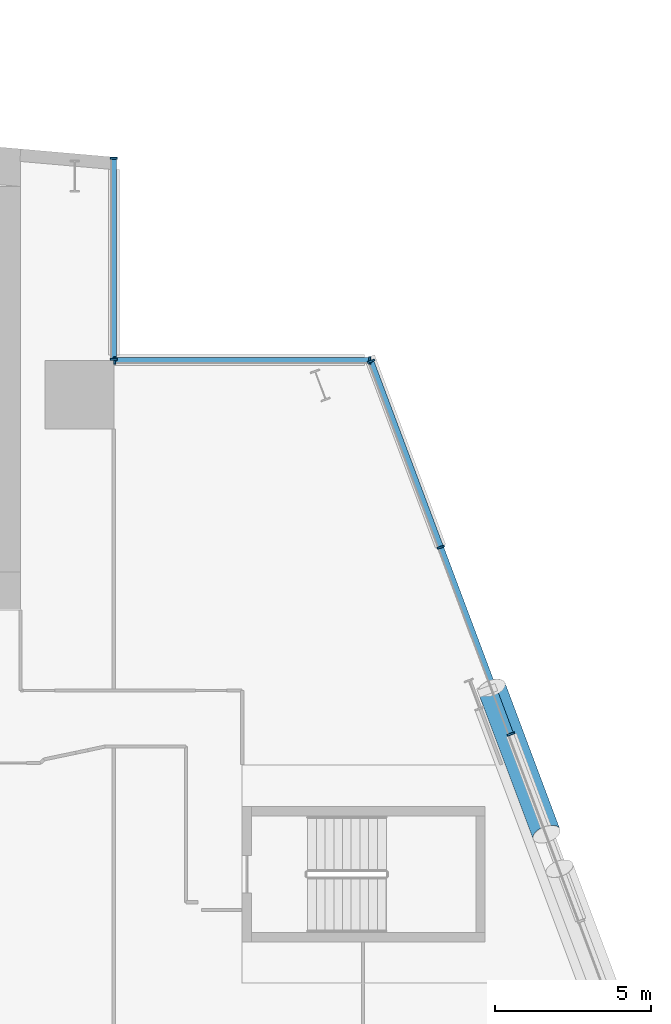
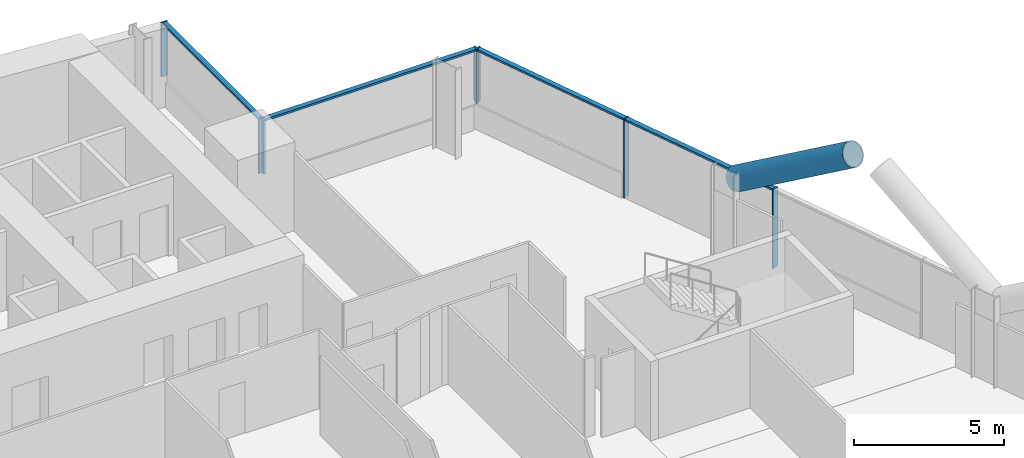
# One storey, part 10 of 27: 12 members, 3 elements without a shape of their own.
"""IFC4 building model written with IfcOpenShell, lengths in metres."""

from ifc_helpers import new_model, si_unit, direction, frame, origin, origin_2d, place, context, subcontext, project, spatial, rectangle, hollow_circle, extrude, material, material_profile, profile_set, type_object, element, aggregate, save


model = new_model("IFC4")

# Units and contexts
model_context = context("Model", 3, precision=1e-05, world=origin(), true_north=direction((0.0, 1.0)))
body_context = subcontext(model_context, "Body", "Model", "MODEL_VIEW")
ifc_project = project(units=[si_unit("LENGTHUNIT", "METRE"), si_unit("AREAUNIT", "SQUARE_METRE"), si_unit("VOLUMEUNIT", "CUBIC_METRE"), si_unit("PLANEANGLEUNIT", "RADIAN"), si_unit("MASSUNIT", "GRAM", prefix="KILO")], contexts=[model_context])

# Site, building, storey
site_placement = place(None, origin())
site = spatial("IfcSite", under=ifc_project, at=site_placement, CompositionType="ELEMENT")
building_placement = place(site_placement, origin())
building = spatial("IfcBuilding", under=site, at=building_placement, Name="Wharfspan Tower", CompositionType="ELEMENT")
storey_placement = place(building_placement, frame((0.0, 0.0, 45.100098)))
storey = spatial("IfcBuildingStorey", under=building, at=storey_placement, Name="L07", CompositionType="ELEMENT", Elevation=45.100098)

# Curtain wall, members
ifc_material_1 = material(Name="Aluminium 6063-T6", Category="aluminium")
curtain_wall_type = type_object("IfcCurtainWallType", Name="CURTAIN WALL PROW AND END", PredefinedType="NOTDEFINED", material=ifc_material_1)
curtain_wall_1_placement = place(storey_placement, origin())
curtain_wall_1 = element("IfcCurtainWall", 1, at=curtain_wall_1_placement, inside=storey, type_object=curtain_wall_type, Name="Curtain wall E", PredefinedType="NOTDEFINED")
ifc_material_profile_1 = material_profile(ifc_material_1, rectangle(XDim=0.23999, YDim=0.060059, at=origin_2d()))
ifc_profile_set_1 = profile_set([ifc_material_profile_1], Name="Aluminium 6063-T6")
member_type_1 = type_object("IfcMemberType", Name="MULLION PROW AND END 60x240", PredefinedType="MULLION", material=ifc_profile_set_1)
member_1_placement = place(storey_placement, frame((80.75, 30.0, 0.0), z_axis=(0.0, 0.0, 1.0), x_axis=(-0.936328, -0.351123, 0.0)))
member_1 = element("IfcMember", 2, at=member_1_placement, type_object=member_type_1, Name="Curtain wall E mullion 6", PredefinedType="MULLION", context=body_context, shape_type="SweptSolid", body=[
    extrude(rectangle(XDim=0.23999, YDim=0.060059, at=origin_2d()), origin(), (0.0, 0.0, 1.0), 3.199951),
])
member_2_placement = place(storey_placement, frame((78.5, 36.0, 0.0), z_axis=(0.0, 0.0, 1.0), x_axis=(-0.936328, -0.351123, 0.0)))
member_2 = element("IfcMember", 3, at=member_2_placement, type_object=member_type_1, Name="Curtain wall E mullion 7", PredefinedType="MULLION", context=body_context, shape_type="SweptSolid", body=[
    extrude(rectangle(XDim=0.23999, YDim=0.060059, at=origin_2d()), origin(), (0.0, 0.0, 1.0), 3.199951),
])
member_3_placement = place(storey_placement, frame((76.260498, 41.971924, 1.0), z_axis=(0.0, 0.0, 1.0), x_axis=(-0.936328, -0.351123, 0.0)))
member_3 = element("IfcMember", 4, at=member_3_placement, type_object=member_type_1, Name="Curtain wall E mullion 8", PredefinedType="MULLION", context=body_context, shape_type="SweptSolid", body=[
    extrude(rectangle(XDim=0.23999, YDim=0.060059, at=origin_2d()), origin(), (0.0, 0.0, 1.0), 2.199951),
])

curtain_wall_2_placement = place(storey_placement, origin())
curtain_wall_2 = element("IfcCurtainWall", 5, at=curtain_wall_2_placement, inside=storey, type_object=curtain_wall_type, Name="Curtain wall NRE-H", PredefinedType="NOTDEFINED")
member_4_placement = place(storey_placement, frame((76.219971, 42.0, 1.0), z_axis=(0.0, 0.0, 1.0), x_axis=(0.0, -1.0, 0.0)))
member_4 = element("IfcMember", 6, at=member_4_placement, type_object=member_type_1, Name="Curtain wall NRE-H mullion 1", PredefinedType="MULLION", context=body_context, shape_type="SweptSolid", body=[
    extrude(rectangle(XDim=0.23999, YDim=0.060059, at=origin_2d()), origin(), (0.0, 0.0, 1.0), 2.199951),
])
member_5_placement = place(storey_placement, frame((68.030029, 42.0, 1.0), z_axis=(0.0, 0.0, 1.0), x_axis=(0.0, -1.0, 0.0)))
member_5 = element("IfcMember", 7, at=member_5_placement, type_object=member_type_1, Name="Curtain wall NRE-H mullion 2", PredefinedType="MULLION", context=body_context, shape_type="SweptSolid", body=[
    extrude(rectangle(XDim=0.23999, YDim=0.060059, at=origin_2d()), origin(), (0.0, 0.0, 1.0), 2.199951),
])

curtain_wall_3_placement = place(storey_placement, origin())
curtain_wall_3 = element("IfcCurtainWall", 8, at=curtain_wall_3_placement, inside=storey, type_object=curtain_wall_type, Name="Curtain wall NRE-V", PredefinedType="NOTDEFINED")
member_6_placement = place(storey_placement, frame((68.0, 42.030029, 1.0), z_axis=(0.0, 0.0, 1.0), x_axis=(-1.0, 0.0, 0.0)))
member_6 = element("IfcMember", 9, at=member_6_placement, type_object=member_type_1, Name="Curtain wall NRE-V mullion 1", PredefinedType="MULLION", context=body_context, shape_type="SweptSolid", body=[
    extrude(rectangle(XDim=0.23999, YDim=0.060059, at=origin_2d()), origin(), (0.0, 0.0, 1.0), 2.199951),
])
member_7_placement = place(storey_placement, frame((68.0, 48.494873, 1.0), z_axis=(0.0, 0.0, 1.0), x_axis=(-1.0, 0.0, 0.0)))
member_7 = element("IfcMember", 10, at=member_7_placement, type_object=member_type_1, Name="Curtain wall NRE-V mullion 2", PredefinedType="MULLION", context=body_context, shape_type="SweptSolid", body=[
    extrude(rectangle(XDim=0.23999, YDim=0.060059, at=origin_2d()), origin(), (0.0, 0.0, 1.0), 2.199951),
])

# Member
ifc_material_2 = material(Name="Steel S460NH", Category="steel")
ifc_material_profile_2 = material_profile(ifc_material_2, hollow_circle(Radius=0.457031, WallThickness=0.040039, at=origin_2d()))
ifc_profile_set_2 = profile_set([ifc_material_profile_2], Name="Steel S460NH")
member_type_2 = type_object("IfcMemberType", Name="Mega brace CHS 914x40", PredefinedType="BRACE", material=ifc_profile_set_2)
member_8_placement = place(storey_placement, frame((80.135986, 31.480713, 2.899902), z_axis=(0.295459, -0.787904, 0.540288), x_axis=(0.936328, 0.351115, -3e-06)))
element("IfcMember", 11, at=member_8_placement, inside=storey, type_object=member_type_2, Name="Mega brace E6 L08 part 3", PredefinedType="BRACE", context=body_context, shape_type="SweptSolid", body=[
    extrude(hollow_circle(Radius=0.457031, WallThickness=0.040039, at=origin_2d()), origin(), (0.0, 0.0, 1.0), 5.955322),
])

ifc_material_profile_3 = material_profile(ifc_material_1, rectangle(XDim=0.179932, YDim=0.080078, at=origin_2d()))
ifc_profile_set_3 = profile_set([ifc_material_profile_3], Name="Aluminium 6063-T6")
member_type_3 = type_object("IfcMemberType", Name="TRANSOM PROW AND END 80x180", PredefinedType="USERDEFINED", material=ifc_profile_set_3)
member_9_placement = place(storey_placement, frame((80.739502, 30.028076, 3.159912), z_axis=(-0.351132, 0.936326, 0.0), x_axis=(-0.936326, -0.351132, 0.0)))
member_9 = element("IfcMember", 12, at=member_9_placement, type_object=member_type_3, Name="Curtain wall E transom 6", ObjectType="TRANSOM", PredefinedType="USERDEFINED", context=body_context, shape_type="SweptSolid", body=[
    extrude(rectangle(XDim=0.179932, YDim=0.080078, at=origin_2d()), origin(), (0.0, 0.0, 1.0), 6.348145),
])

member_10_placement = place(storey_placement, frame((78.489502, 36.028076, 3.159912), z_axis=(-0.351136, 0.936324, 0.0), x_axis=(-0.936324, -0.351136, 0.0)))
member_10 = element("IfcMember", 13, at=member_10_placement, type_object=member_type_3, Name="Curtain wall E transom 7", ObjectType="TRANSOM", PredefinedType="USERDEFINED", context=body_context, shape_type="SweptSolid", body=[
    extrude(rectangle(XDim=0.179932, YDim=0.080078, at=origin_2d()), origin(), (0.0, 0.0, 1.0), 6.318115),
])

aggregate(curtain_wall_1, [member_1, member_2, member_3, member_9, member_10])

member_11_placement = place(storey_placement, frame((76.189941, 42.0, 3.159912), z_axis=(-1.0, 0.0, 0.0), x_axis=(0.0, -1.0, 0.0)))
member_11 = element("IfcMember", 14, at=member_11_placement, type_object=member_type_3, Name="Curtain wall NRE-H transom 1", ObjectType="TRANSOM", PredefinedType="USERDEFINED", context=body_context, shape_type="SweptSolid", body=[
    extrude(rectangle(XDim=0.179932, YDim=0.080078, at=origin_2d()), origin(), (0.0, 0.0, 1.0), 8.129883),
])

aggregate(curtain_wall_2, [member_4, member_5, member_11])

member_12_placement = place(storey_placement, frame((68.0, 42.060059, 3.159912), z_axis=(0.0, 1.0, 0.0), x_axis=(-1.0, 0.0, 0.0)))
member_12 = element("IfcMember", 15, at=member_12_placement, type_object=member_type_3, Name="Curtain wall NRE-V transom 1", ObjectType="TRANSOM", PredefinedType="USERDEFINED", context=body_context, shape_type="SweptSolid", body=[
    extrude(rectangle(XDim=0.179932, YDim=0.080078, at=origin_2d()), origin(), (0.0, 0.0, 1.0), 6.404785),
])

aggregate(curtain_wall_3, [member_6, member_7, member_12])

save(model, "model.ifc")
